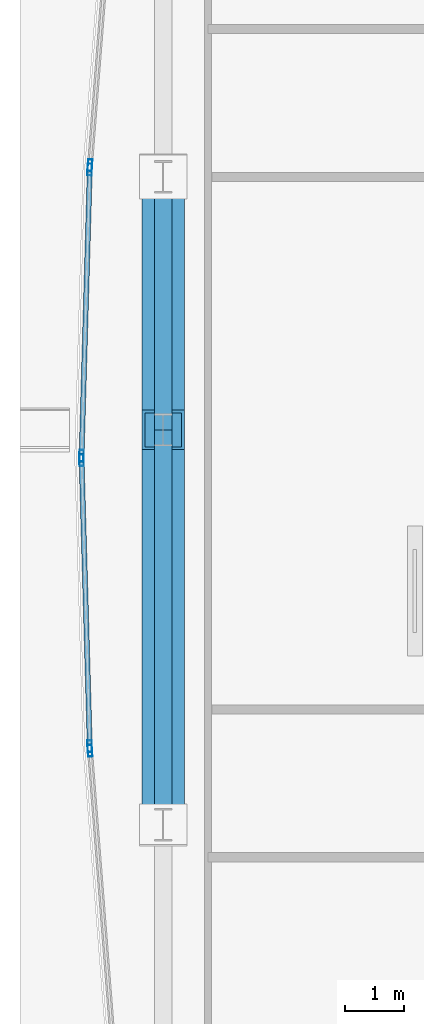
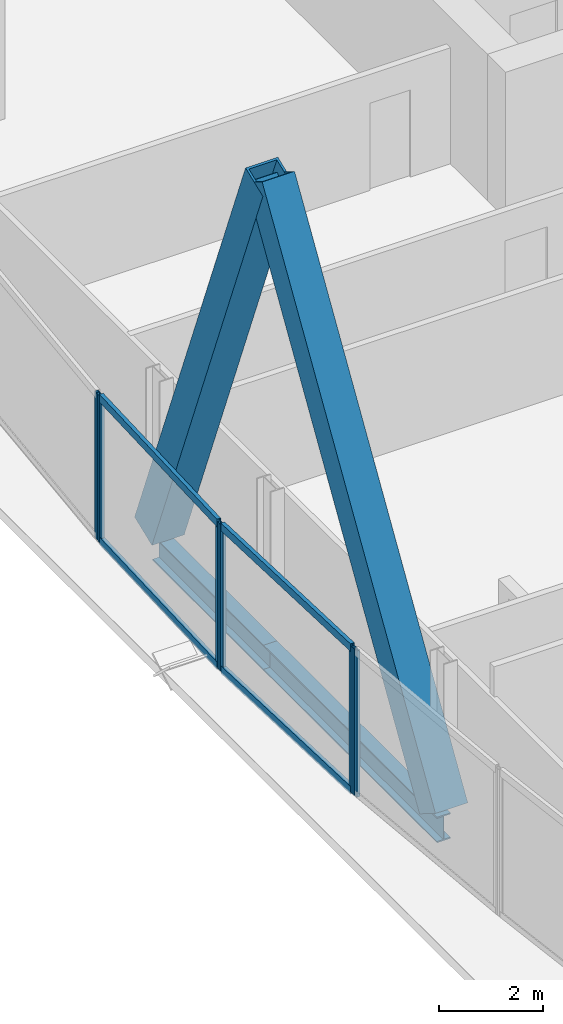
# One storey, part 10 of 30: 12 members, 2 beams, 4 elements without a shape of their own.
"""IFC4 building model written with IfcOpenShell, lengths in metres."""

from ifc_helpers import new_model, si_unit, direction, frame, origin, origin_2d, place, context, subcontext, project, spatial, hollow_rectangle, i_section, extrude, material, material_profile, profile_set, type_object, element, aggregate, save


model = new_model("IFC4")

# Units and contexts
model_context = context("Model", 3, precision=1e-05, world=origin(), true_north=direction((0.0, 1.0)))
body_context = subcontext(model_context, "Body", "Model", "MODEL_VIEW")
ifc_project = project(units=[si_unit("LENGTHUNIT", "METRE"), si_unit("AREAUNIT", "SQUARE_METRE"), si_unit("VOLUMEUNIT", "CUBIC_METRE"), si_unit("PLANEANGLEUNIT", "RADIAN"), si_unit("MASSUNIT", "GRAM", prefix="KILO")], contexts=[model_context])

# Site, building, storey
site_placement = place(None, origin())
site = spatial("IfcSite", under=ifc_project, at=site_placement, CompositionType="ELEMENT")
building_placement = place(site_placement, origin())
building = spatial("IfcBuilding", under=site, at=building_placement, Name="Khoronbel Lancet Exchange", CompositionType="ELEMENT")
storey_placement = place(building_placement, frame((0.0, 0.0, 136.199951171875)))
storey = spatial("IfcBuildingStorey", under=building, at=storey_placement, Name="L33", CompositionType="ELEMENT", Elevation=136.199951171875)

# Beams
ifc_material_1 = material(Name="Steel S355", Category="steel")
ifc_material_profile_1 = material_profile(ifc_material_1, i_section(OverallWidth=0.300048828125, OverallDepth=0.60009765625, WebThickness=0.015380859375, FlangeThickness=0.030029296875, at=origin_2d()), Name="HEB 600")
ifc_profile_set_1 = profile_set([ifc_material_profile_1], Name="Steel S355")
beam_type = type_object("IfcBeamType", Name="BM-BSP2", PredefinedType="SPANDREL", material=ifc_profile_set_1)
beam_1_placement = place(storey_placement, frame((5.27001953125, 35.699951171875, -0.4599609375), z_axis=(0.0, -1.0, 0.0), x_axis=(1.0, 0.0, 0.0)))
element("IfcBeam", 1, at=beam_1_placement, inside=storey, type_object=beam_type, Name="Level L33 perimeter spandrel beam SP16", PredefinedType="SPANDREL", context=body_context, shape_type="SweptSolid", body=[
    extrude(i_section(OverallWidth=0.300048828125, OverallDepth=0.60009765625, WebThickness=0.015380859375, FlangeThickness=0.030029296875, at=origin_2d()), origin(), (0.0, 0.0, 1.0), 4.27490234375),
])
beam_2_placement = place(storey_placement, frame((5.27001953125, 31.425048828125, -0.4599609375), z_axis=(0.0, -1.0, 0.0), x_axis=(1.0, 0.0, 0.0)))
element("IfcBeam", 2, at=beam_2_placement, inside=storey, type_object=beam_type, Name="Level L33 perimeter spandrel beam SP17", PredefinedType="SPANDREL", context=body_context, shape_type="SweptSolid", body=[
    extrude(i_section(OverallWidth=0.300048828125, OverallDepth=0.60009765625, WebThickness=0.015380859375, FlangeThickness=0.030029296875, at=origin_2d()), origin(), (0.0, 0.0, 1.0), 6.675048828125),
])

# Curtain wall, member
ifc_material_2 = material(Name="Low-E Solar Control Insulating Glass", Category="glass")
curtain_wall_type = type_object("IfcCurtainWallType", Name="CW-4", PredefinedType="NOTDEFINED", material=ifc_material_2)
curtain_wall_1_placement = place(storey_placement, origin())
curtain_wall_1 = element("IfcCurtainWall", 3, at=curtain_wall_1_placement, inside=storey, type_object=curtain_wall_type, Name="Unitised curtain wall CW-L33-E05", PredefinedType="NOTDEFINED")
ifc_material_3 = material(Name="Bronze-Anodised Aluminium 6063-T6", Category="aluminium")
ifc_material_profile_2 = material_profile(ifc_material_3, hollow_rectangle(XDim=0.074951171875, YDim=0.199951171875, WallThickness=0.0048828125, at=origin_2d()), Name="ALU MULLION 75x200")
ifc_profile_set_2 = profile_set([ifc_material_profile_2], Name="Bronze-Anodised Aluminium 6063-T6")
member_type_1 = type_object("IfcMemberType", Name="MEM-CWM2", PredefinedType="MULLION", material=ifc_profile_set_2)
member_1_placement = place(storey_placement, frame((4.033447265625, 26.000732421875, 0.0), z_axis=(0.0, 0.0, 1.0), x_axis=(-0.996959555693, -0.077920756627, 0.0)))
member_1 = element("IfcMember", 4, at=member_1_placement, type_object=member_type_1, Name="CW4 mullion 2", PredefinedType="MULLION", context=body_context, shape_type="SweptSolid", body=[
    extrude(hollow_rectangle(XDim=0.074951171875, YDim=0.199951171875, WallThickness=0.0048828125, at=origin_2d()), origin(), (0.0, 0.0, 1.0), 3.43994140625),
])
aggregate(curtain_wall_1, [member_1])

# Curtain wall, members
curtain_wall_2_placement = place(storey_placement, origin())
curtain_wall_2 = element("IfcCurtainWall", 5, at=curtain_wall_2_placement, inside=storey, type_object=curtain_wall_type, Name="Unitised curtain wall CW-L33-E06", PredefinedType="NOTDEFINED")
member_2_placement = place(storey_placement, frame((4.029541015625, 26.07568359375, 0.0), z_axis=(0.0, 0.0, 1.0), x_axis=(-0.999590574553, -0.028612641702, 0.0)))
member_2 = element("IfcMember", 6, at=member_2_placement, type_object=member_type_1, Name="CW4 mullion 1", PredefinedType="MULLION", context=body_context, shape_type="SweptSolid", body=[
    extrude(hollow_rectangle(XDim=0.074951171875, YDim=0.199951171875, WallThickness=0.0048828125, at=origin_2d()), origin(), (0.0, 0.0, 1.0), 3.43994140625),
])
member_3_placement = place(storey_placement, frame((3.89111328125, 30.91259765625, 0.0), z_axis=(0.0, 0.0, 1.0), x_axis=(-0.999590574553, -0.028612641702, 0.0)))
member_3 = element("IfcMember", 7, at=member_3_placement, type_object=member_type_1, Name="CW4 mullion 2", PredefinedType="MULLION", context=body_context, shape_type="SweptSolid", body=[
    extrude(hollow_rectangle(XDim=0.074951171875, YDim=0.199951171875, WallThickness=0.0048828125, at=origin_2d()), origin(), (0.0, 0.0, 1.0), 3.43994140625),
])

curtain_wall_3_placement = place(storey_placement, origin())
curtain_wall_3 = element("IfcCurtainWall", 8, at=curtain_wall_3_placement, inside=storey, type_object=curtain_wall_type, Name="Unitised curtain wall CW-L33-E07", PredefinedType="NOTDEFINED")
member_4_placement = place(storey_placement, frame((3.89111328125, 30.987548828125, 0.0), z_axis=(0.0, 0.0, 1.0), x_axis=(-0.999590574553, 0.028612641702, 0.0)))
member_4 = element("IfcMember", 9, at=member_4_placement, type_object=member_type_1, Name="CW4 mullion 1", PredefinedType="MULLION", context=body_context, shape_type="SweptSolid", body=[
    extrude(hollow_rectangle(XDim=0.074951171875, YDim=0.199951171875, WallThickness=0.0048828125, at=origin_2d()), origin(), (0.0, 0.0, 1.0), 3.43994140625),
])
member_5_placement = place(storey_placement, frame((4.029541015625, 35.824462890625, 0.0), z_axis=(0.0, 0.0, 1.0), x_axis=(-0.999590574553, 0.028612641702, 0.0)))
member_5 = element("IfcMember", 10, at=member_5_placement, type_object=member_type_1, Name="CW4 mullion 2", PredefinedType="MULLION", context=body_context, shape_type="SweptSolid", body=[
    extrude(hollow_rectangle(XDim=0.074951171875, YDim=0.199951171875, WallThickness=0.0048828125, at=origin_2d()), origin(), (0.0, 0.0, 1.0), 3.43994140625),
])

# Curtain wall, member
curtain_wall_4_placement = place(storey_placement, origin())
curtain_wall_4 = element("IfcCurtainWall", 11, at=curtain_wall_4_placement, inside=storey, type_object=curtain_wall_type, Name="Unitised curtain wall CW-L33-E08", PredefinedType="NOTDEFINED")
member_6_placement = place(storey_placement, frame((4.033447265625, 35.899169921875, 0.0), z_axis=(0.0, 0.0, 1.0), x_axis=(-0.996959555693, 0.077920756627, 0.0)))
member_6 = element("IfcMember", 12, at=member_6_placement, type_object=member_type_1, Name="CW4 mullion 1", PredefinedType="MULLION", context=body_context, shape_type="SweptSolid", body=[
    extrude(hollow_rectangle(XDim=0.074951171875, YDim=0.199951171875, WallThickness=0.0048828125, at=origin_2d()), origin(), (0.0, 0.0, 1.0), 3.43994140625),
])
aggregate(curtain_wall_4, [member_6])

# Member
ifc_material_profile_3 = material_profile(ifc_material_3, hollow_rectangle(XDim=0.0849609375, YDim=0.179931640625, WallThickness=0.0048828125, at=origin_2d()), Name="ALU TRANSOM 85x180")
ifc_profile_set_3 = profile_set([ifc_material_profile_3], Name="Bronze-Anodised Aluminium 6063-T6")
member_type_2 = type_object("IfcMemberType", Name="MEM-CWT1", PredefinedType="USERDEFINED", material=ifc_profile_set_3)
member_7_placement = place(storey_placement, frame((4.028564453125, 26.113037109375, 0.04248046875), z_axis=(-0.02864755561, 0.999589574554, 0.0), x_axis=(-0.999589574554, -0.02864755561, 0.0)))
member_7 = element("IfcMember", 13, at=member_7_placement, type_object=member_type_2, Name="CW4 transom 1.1", ObjectType="TRANSOM", PredefinedType="USERDEFINED", context=body_context, shape_type="SweptSolid", body=[
    extrude(hollow_rectangle(XDim=0.0849609375, YDim=0.179931640625, WallThickness=0.0048828125, at=origin_2d()), origin(), (0.0, 0.0, 1.0), 4.763916015625),
])

member_8_placement = place(storey_placement, frame((4.028564453125, 26.113037109375, 3.3974609375), z_axis=(-0.02864755561, 0.999589574554, 0.0), x_axis=(-0.999589574554, -0.02864755561, 0.0)))
member_8 = element("IfcMember", 14, at=member_8_placement, type_object=member_type_2, Name="CW4 transom 1.2", ObjectType="TRANSOM", PredefinedType="USERDEFINED", context=body_context, shape_type="SweptSolid", body=[
    extrude(hollow_rectangle(XDim=0.0849609375, YDim=0.179931640625, WallThickness=0.0048828125, at=origin_2d()), origin(), (0.0, 0.0, 1.0), 4.763916015625),
])

aggregate(curtain_wall_2, [member_2, member_3, member_7, member_8])

member_9_placement = place(storey_placement, frame((3.89208984375, 31.02490234375, 0.04248046875), z_axis=(0.02864755561, 0.999589574554, 0.0), x_axis=(-0.999589574554, 0.02864755561, 0.0)))
member_9 = element("IfcMember", 15, at=member_9_placement, type_object=member_type_2, Name="CW4 transom 1.1", ObjectType="TRANSOM", PredefinedType="USERDEFINED", context=body_context, shape_type="SweptSolid", body=[
    extrude(hollow_rectangle(XDim=0.0849609375, YDim=0.179931640625, WallThickness=0.0048828125, at=origin_2d()), origin(), (0.0, 0.0, 1.0), 4.763916015625),
])

member_10_placement = place(storey_placement, frame((3.89208984375, 31.02490234375, 3.3974609375), z_axis=(0.02864755561, 0.999589574554, 0.0), x_axis=(-0.999589574554, 0.02864755561, 0.0)))
member_10 = element("IfcMember", 16, at=member_10_placement, type_object=member_type_2, Name="CW4 transom 1.2", ObjectType="TRANSOM", PredefinedType="USERDEFINED", context=body_context, shape_type="SweptSolid", body=[
    extrude(hollow_rectangle(XDim=0.0849609375, YDim=0.179931640625, WallThickness=0.0048828125, at=origin_2d()), origin(), (0.0, 0.0, 1.0), 4.763916015625),
])

aggregate(curtain_wall_3, [member_4, member_5, member_9, member_10])

# Members
ifc_material_4 = material(Name="Steel S460", Category="steel")
ifc_material_profile_4 = material_profile(ifc_material_4, hollow_rectangle(XDim=0.719970703125, YDim=0.719970703125, WallThickness=0.050048828125, at=origin_2d()), Name="BOX 720x720x50")
ifc_profile_set_4 = profile_set([ifc_material_profile_4], Name="Steel S460")
member_type_3 = type_object("IfcMemberType", Name="MEM-MB2", PredefinedType="BRACE", material=ifc_profile_set_4)
member_11_placement = place(storey_placement, frame((5.27001953125, 24.75, 0.0), z_axis=(0.0, 0.525745449971, 0.850641946906), x_axis=(-1.0, 0.0, 0.0)))
element("IfcMember", 17, at=member_11_placement, inside=storey, type_object=member_type_3, Name="Perimeter lancet brace tier 11 W-P-L", PredefinedType="BRACE", context=body_context, shape_type="SweptSolid", body=[
    extrude(hollow_rectangle(XDim=0.719970703125, YDim=0.719970703125, WallThickness=0.050048828125, at=origin_2d()), origin(), (0.0, 0.0, 1.0), 12.6962890625),
])
member_12_placement = place(storey_placement, frame((5.27001953125, 35.699951171875, 0.0), z_axis=(0.0, -0.368039743753, 0.929810059646), x_axis=(1.0, 0.0, 0.0)))
element("IfcMember", 18, at=member_12_placement, inside=storey, type_object=member_type_3, Name="Perimeter lancet brace tier 11 W-P-R", PredefinedType="BRACE", context=body_context, shape_type="SweptSolid", body=[
    extrude(hollow_rectangle(XDim=0.719970703125, YDim=0.719970703125, WallThickness=0.050048828125, at=origin_2d()), origin(), (0.0, 0.0, 1.0), 11.615234375),
])

save(model, "model.ifc")
